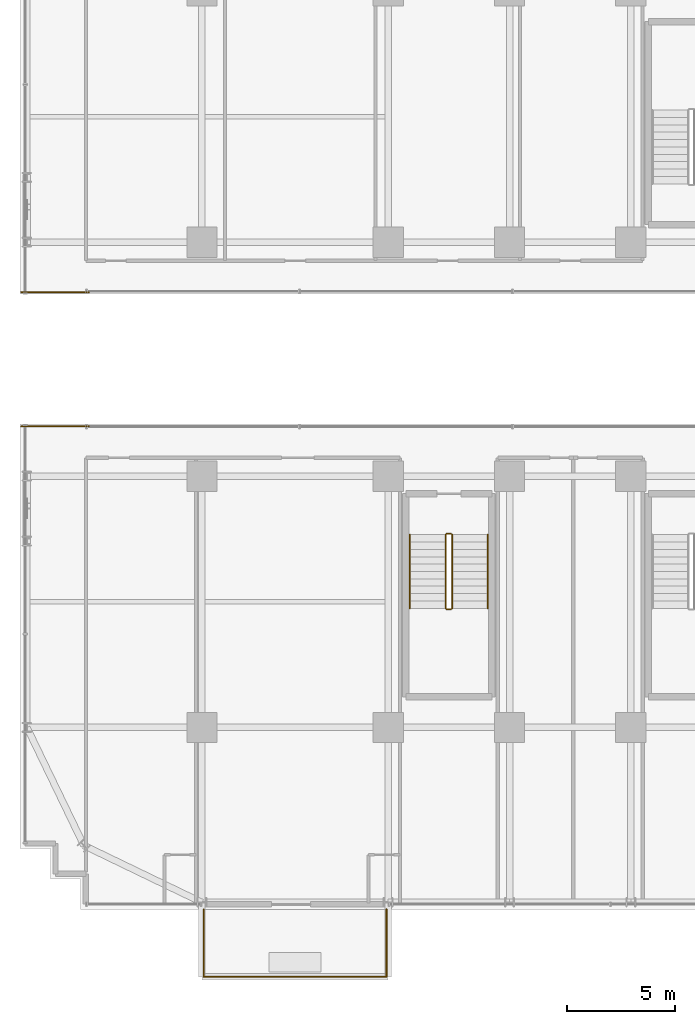
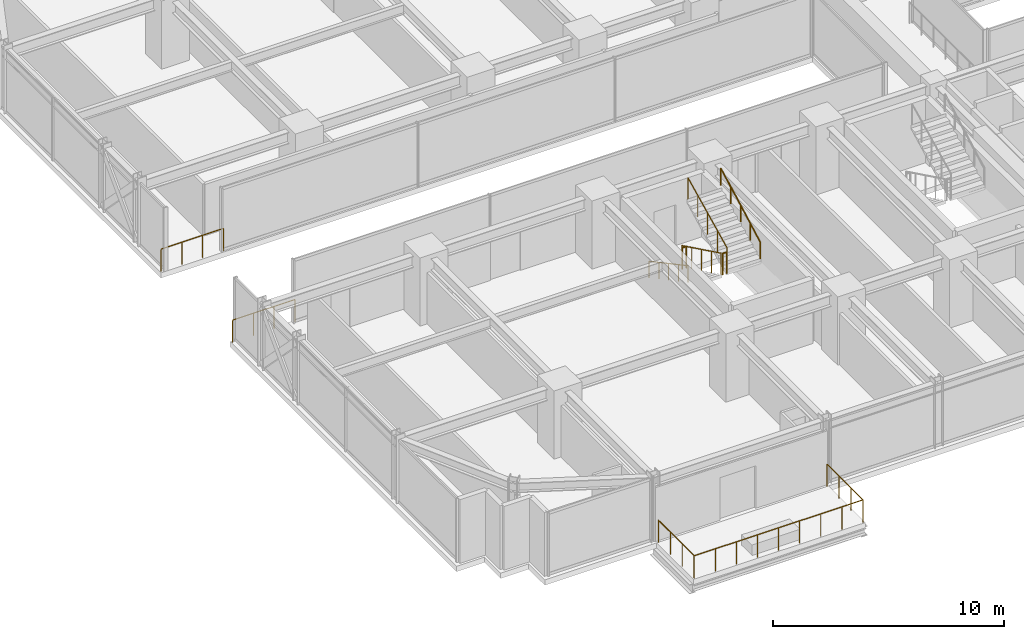
# One storey, part 33 of 35: 9 railings.
"""IFC4 building model written with IfcOpenShell, lengths in metres."""

from ifc_helpers import new_model, si_unit, direction, frame, origin, origin_2d, place, context, subcontext, project, spatial, circle, extrude, material, type_object, element, save


model = new_model("IFC4")

# Units and contexts
model_context = context("Model", 3, precision=1e-05, world=origin(), true_north=direction((0.0, 1.0)))
body_context = subcontext(model_context, "Body", "Model", "MODEL_VIEW")
ifc_project = project(units=[si_unit("LENGTHUNIT", "METRE"), si_unit("AREAUNIT", "SQUARE_METRE"), si_unit("VOLUMEUNIT", "CUBIC_METRE"), si_unit("PLANEANGLEUNIT", "RADIAN"), si_unit("MASSUNIT", "GRAM", prefix="KILO")], contexts=[model_context])

# Site, building, storey
site_placement = place(None, origin())
site = spatial("IfcSite", under=ifc_project, at=site_placement, CompositionType="ELEMENT")
building_placement = place(site_placement, origin())
building = spatial("IfcBuilding", under=site, at=building_placement, Name="Nahalor Promenade Grand Hotel", CompositionType="ELEMENT")
storey_placement = place(building_placement, frame((0.0, 0.0, 43.35009765625)))
storey = spatial("IfcBuildingStorey", under=building, at=storey_placement, Name="L09", CompositionType="ELEMENT", Elevation=43.35009765625)

# Railings
ifc_material_1 = material(Name="Anodised Bronze Aluminium EN AW-6063 T6", Category="aluminium")
railing_type_1 = type_object("IfcRailingType", Name="Bronze Balcony Guardrail 1200 mm", PredefinedType="GUARDRAIL", material=ifc_material_1)
for number, where, name in (
    (1, (-25.340087890625, -3.09912109375, 0.0), "L09 Oculus Void Edge Guardrail WS"),
    (2, (-25.340087890625, 3.09912109375, 0.0), "L09 Oculus Void Edge Guardrail WN"),
):
    element("IfcRailing", number, at=place(storey_placement, frame(where)), inside=storey, type_object=railing_type_1, Name=name, PredefinedType="GUARDRAIL", context=body_context, shape_type="SweptSolid", body=[
        extrude(circle(Radius=0.024048, at=origin_2d()), frame((0.0, 0.0, 1.17578125), z_axis=(1.0, 0.0, 0.0), x_axis=(0.0, 1.0, 0.0)), (0.0, 0.0, 1.0), 3.1201171875),
        extrude(circle(Radius=0.020996, at=origin_2d()), origin(), (0.0, 0.0, 1.0), 1.14990234375),
        extrude(circle(Radius=0.020996, at=origin_2d()), frame((1.0400390625, 0.0, 0.0)), (0.0, 0.0, 1.0), 1.14990234375),
        extrude(circle(Radius=0.020996, at=origin_2d()), frame((2.080078125, 0.0, 0.0)), (0.0, 0.0, 1.0), 1.14990234375),
        extrude(circle(Radius=0.020996, at=origin_2d()), frame((3.1201171875, 0.0, 0.0)), (0.0, 0.0, 1.0), 1.14990234375),
    ])
railing_1_placement = place(storey_placement, frame((-16.919921875, -25.39990234375, 0.0)))
element("IfcRailing", 3, at=railing_1_placement, inside=storey, type_object=railing_type_1, Name="L09 Balcony Guardrail 1", PredefinedType="GUARDRAIL", context=body_context, shape_type="SweptSolid", body=[
    extrude(circle(Radius=0.024048, at=origin_2d()), frame((0.0, 0.0, 1.17578125), z_axis=(0.0, -1.0, 0.0), x_axis=(1.0, 0.0, 0.0)), (0.0, 0.0, 1.0), 3.108154296875),
    extrude(circle(Radius=0.024048, at=origin_2d()), frame((0.001953125, -3.110107421875, 1.17578125), z_axis=(1.0, 0.0, 0.0), x_axis=(0.0, 1.0, 0.0)), (0.0, 0.0, 1.0), 8.43603515625),
    extrude(circle(Radius=0.024048, at=origin_2d()), frame((8.43994140625, -3.108154296875, 1.17578125), z_axis=(0.0, 1.0, 0.0), x_axis=(-1.0, 0.0, 0.0)), (0.0, 0.0, 1.0), 3.108154296875),
    extrude(circle(Radius=0.020996, at=origin_2d()), origin(), (0.0, 0.0, 1.0), 1.14990234375),
    extrude(circle(Radius=0.020996, at=origin_2d()), frame((0.0, -1.03662109375, 0.0)), (0.0, 0.0, 1.0), 1.14990234375),
    extrude(circle(Radius=0.020996, at=origin_2d()), frame((0.0, -2.073486328125, 0.0)), (0.0, 0.0, 1.0), 1.14990234375),
    extrude(circle(Radius=0.020996, at=origin_2d()), frame((0.0, -3.110107421875, 0.0)), (0.0, 0.0, 1.0), 1.14990234375),
    extrude(circle(Radius=0.020996, at=origin_2d()), frame((1.054931640625, -3.110107421875, 0.0)), (0.0, 0.0, 1.0), 1.14990234375),
    extrude(circle(Radius=0.020996, at=origin_2d()), frame((2.10986328125, -3.110107421875, 0.0)), (0.0, 0.0, 1.0), 1.14990234375),
    extrude(circle(Radius=0.020996, at=origin_2d()), frame((3.1650390625, -3.110107421875, 0.0)), (0.0, 0.0, 1.0), 1.14990234375),
    extrude(circle(Radius=0.020996, at=origin_2d()), frame((4.219970703125, -3.110107421875, 0.0)), (0.0, 0.0, 1.0), 1.14990234375),
    extrude(circle(Radius=0.020996, at=origin_2d()), frame((5.27490234375, -3.110107421875, 0.0)), (0.0, 0.0, 1.0), 1.14990234375),
    extrude(circle(Radius=0.020996, at=origin_2d()), frame((6.330078125, -3.110107421875, 0.0)), (0.0, 0.0, 1.0), 1.14990234375),
    extrude(circle(Radius=0.020996, at=origin_2d()), frame((7.385009765625, -3.110107421875, 0.0)), (0.0, 0.0, 1.0), 1.14990234375),
    extrude(circle(Radius=0.020996, at=origin_2d()), frame((8.43994140625, -3.110107421875, 0.0)), (0.0, 0.0, 1.0), 1.14990234375),
    extrude(circle(Radius=0.020996, at=origin_2d()), frame((8.43994140625, -2.073486328125, 0.0)), (0.0, 0.0, 1.0), 1.14990234375),
    extrude(circle(Radius=0.020996, at=origin_2d()), frame((8.43994140625, -1.03662109375, 0.0)), (0.0, 0.0, 1.0), 1.14990234375),
    extrude(circle(Radius=0.020996, at=origin_2d()), frame((8.43994140625, 0.0, 0.0)), (0.0, 0.0, 1.0), 1.14990234375),
])
ifc_material_2 = material(Name="Steel S355JR", Category="steel")
railing_type_2 = type_object("IfcRailingType", Name="Steel Stair Guardrail 1150 mm", PredefinedType="GUARDRAIL", material=ifc_material_2)
railing_2_placement = place(storey_placement, frame((-5.75, -8.10009765625, 0.165771484375)))
element("IfcRailing", 4, at=railing_2_placement, inside=storey, type_object=railing_type_2, Name="L09 ST3 stair guard 1", PredefinedType="GUARDRAIL", context=body_context, shape_type="SweptSolid", body=[
    extrude(circle(Radius=0.024048, at=origin_2d()), frame((0.0, 0.0, 1.1259765625), z_axis=(0.0, -0.898696488221, 0.438571114028), x_axis=(1.0, 0.0, 0.0)), (0.0, 0.0, 1.0), 3.783203125),
    extrude(circle(Radius=0.020996, at=origin_2d()), origin(), (0.0, 0.0, 1.0), 1.099853515625),
    extrude(circle(Radius=0.020996, at=origin_2d()), frame((0.0, -0.85009765625, 0.414794921875)), (0.0, 0.0, 1.0), 1.099853515625),
    extrude(circle(Radius=0.020996, at=origin_2d()), frame((0.0, -1.699951171875, 0.82958984375)), (0.0, 0.0, 1.0), 1.099853515625),
    extrude(circle(Radius=0.020996, at=origin_2d()), frame((0.0, -2.5498046875, 1.244384765625)), (0.0, 0.0, 1.0), 1.099853515625),
    extrude(circle(Radius=0.020996, at=origin_2d()), frame((0.0, -3.39990234375, 1.6591796875)), (0.0, 0.0, 1.0), 1.099853515625),
])
railing_3_placement = place(storey_placement, frame((-5.699951171875, -11.550048828125, 1.824951171875)))
element("IfcRailing", 5, at=railing_3_placement, inside=storey, type_object=railing_type_2, Name="L09 ST3 stair guard 2", PredefinedType="GUARDRAIL", context=body_context, shape_type="SweptSolid", body=[
    extrude(circle(Radius=0.024048, at=origin_2d()), frame((0.0, 0.0, 1.1259765625), z_axis=(1.0, 0.0, 0.0), x_axis=(0.0, 1.0, 0.0)), (0.0, 0.0, 1.0), 0.199951171875),
    extrude(circle(Radius=0.020996, at=origin_2d()), origin(), (0.0, 0.0, 1.0), 1.099853515625),
    extrude(circle(Radius=0.020996, at=origin_2d()), frame((0.199951171875, 0.0, 0.0)), (0.0, 0.0, 1.0), 1.099853515625),
])
railing_4_placement = place(storey_placement, frame((-5.449951171875, -11.5, 1.99072265625)))
element("IfcRailing", 6, at=railing_4_placement, inside=storey, type_object=railing_type_2, Name="L09 ST3 stair guard 3", PredefinedType="GUARDRAIL", context=body_context, shape_type="SweptSolid", body=[
    extrude(circle(Radius=0.024048, at=origin_2d()), frame((0.0, 0.0, 1.1259765625), z_axis=(0.0, 0.898696488221, 0.438571114028), x_axis=(-1.0, 0.0, 0.0)), (0.0, 0.0, 1.0), 3.783203125),
    extrude(circle(Radius=0.020996, at=origin_2d()), origin(), (0.0, 0.0, 1.0), 1.099853515625),
    extrude(circle(Radius=0.020996, at=origin_2d()), frame((0.0, 0.85009765625, 0.414794921875)), (0.0, 0.0, 1.0), 1.099853515625),
    extrude(circle(Radius=0.020996, at=origin_2d()), frame((0.0, 1.699951171875, 0.82958984375)), (0.0, 0.0, 1.0), 1.099853515625),
    extrude(circle(Radius=0.020996, at=origin_2d()), frame((0.0, 2.5498046875, 1.244384765625)), (0.0, 0.0, 1.0), 1.099853515625),
    extrude(circle(Radius=0.020996, at=origin_2d()), frame((0.0, 3.39990234375, 1.6591796875)), (0.0, 0.0, 1.0), 1.099853515625),
])
railing_5_placement = place(storey_placement, frame((-5.699951171875, -8.050048828125, 0.0)))
element("IfcRailing", 7, at=railing_5_placement, inside=storey, type_object=railing_type_2, Name="L09 ST3 stair guard 4", PredefinedType="GUARDRAIL", context=body_context, shape_type="SweptSolid", body=[
    extrude(circle(Radius=0.024048, at=origin_2d()), frame((0.0, 0.0, 1.1259765625), z_axis=(1.0, 0.0, 0.0), x_axis=(0.0, 1.0, 0.0)), (0.0, 0.0, 1.0), 0.199951171875),
    extrude(circle(Radius=0.020996, at=origin_2d()), origin(), (0.0, 0.0, 1.0), 1.099853515625),
    extrude(circle(Radius=0.020996, at=origin_2d()), frame((0.199951171875, 0.0, 0.0)), (0.0, 0.0, 1.0), 1.099853515625),
])
railing_type_3 = type_object("IfcRailingType", Name="Steel Stair Handrail 900 mm", PredefinedType="HANDRAIL", material=ifc_material_2)
railing_6_placement = place(storey_placement, frame((-7.39990234375, -8.10009765625, 0.165771484375)))
element("IfcRailing", 8, at=railing_6_placement, inside=storey, type_object=railing_type_3, Name="L09 ST3 stair handrail 1", PredefinedType="HANDRAIL", context=body_context, shape_type="SweptSolid", body=[
    extrude(circle(Radius=0.024048, at=origin_2d()), frame((0.0, 0.0, 0.8759765625), z_axis=(0.0, -0.881094038095, 0.47294111265), x_axis=(1.0, 0.0, 0.0)), (0.0, 0.0, 1.0), 3.858642578125),
    extrude(circle(Radius=0.020996, at=origin_2d()), origin(), (0.0, 0.0, 1.0), 0.849853515625),
    extrude(circle(Radius=0.020996, at=origin_2d()), frame((0.0, -0.85009765625, 0.456298828125)), (0.0, 0.0, 1.0), 0.849853515625),
    extrude(circle(Radius=0.020996, at=origin_2d()), frame((0.0, -1.699951171875, 0.91259765625)), (0.0, 0.0, 1.0), 0.849853515625),
    extrude(circle(Radius=0.020996, at=origin_2d()), frame((0.0, -2.5498046875, 1.36865234375)), (0.0, 0.0, 1.0), 0.849853515625),
    extrude(circle(Radius=0.020996, at=origin_2d()), frame((0.0, -3.39990234375, 1.824951171875)), (0.0, 0.0, 1.0), 0.849853515625),
])
railing_7_placement = place(storey_placement, frame((-3.800048828125, -11.5, 1.99072265625)))
element("IfcRailing", 9, at=railing_7_placement, inside=storey, type_object=railing_type_3, Name="L09 ST3 stair handrail 2", PredefinedType="HANDRAIL", context=body_context, shape_type="SweptSolid", body=[
    extrude(circle(Radius=0.024048, at=origin_2d()), frame((0.0, 0.0, 0.8759765625), z_axis=(0.0, 0.881067672671, 0.472990228413), x_axis=(-1.0, 0.0, 0.0)), (0.0, 0.0, 1.0), 3.85888671875),
    extrude(circle(Radius=0.020996, at=origin_2d()), origin(), (0.0, 0.0, 1.0), 0.849853515625),
    extrude(circle(Radius=0.020996, at=origin_2d()), frame((0.0, 0.85009765625, 0.456298828125)), (0.0, 0.0, 1.0), 0.849853515625),
    extrude(circle(Radius=0.020996, at=origin_2d()), frame((0.0, 1.699951171875, 0.91259765625)), (0.0, 0.0, 1.0), 0.849853515625),
    extrude(circle(Radius=0.020996, at=origin_2d()), frame((0.0, 2.5498046875, 1.368896484375)), (0.0, 0.0, 1.0), 0.849853515625),
    extrude(circle(Radius=0.020996, at=origin_2d()), frame((0.0, 3.39990234375, 1.8251953125)), (0.0, 0.0, 1.0), 0.849853515625),
])

save(model, "model.ifc")
